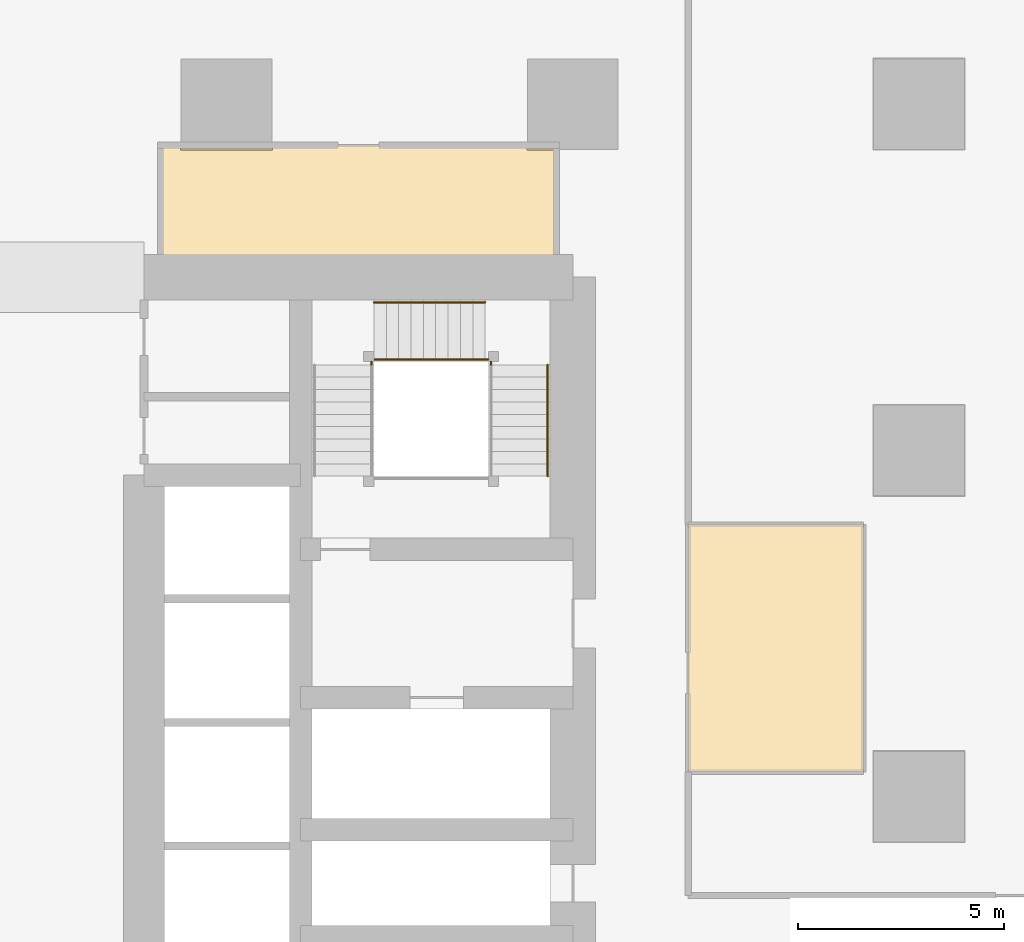
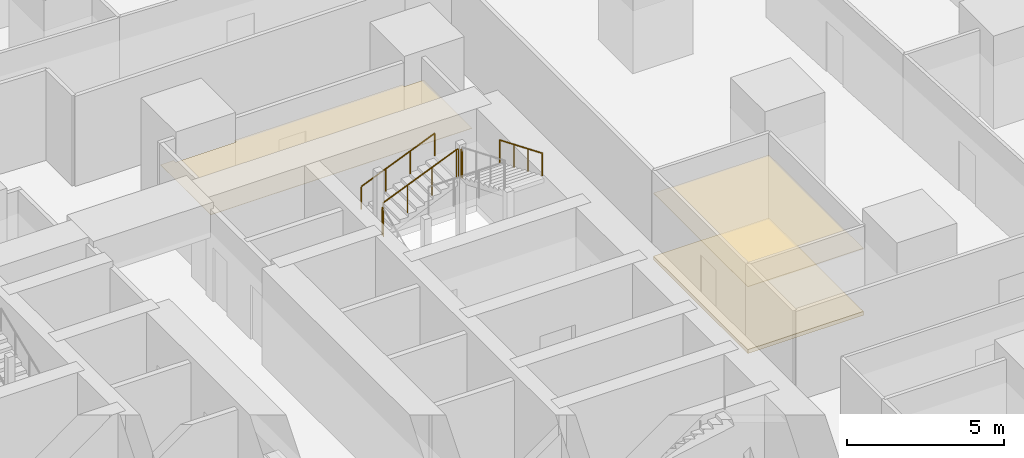
# One storey, part 43 of 44: 6 railings, 3 coverings.
"""IFC4 building model written with IfcOpenShell, lengths in metres."""

from ifc_helpers import new_model, si_unit, direction, frame, origin, origin_2d, place, context, subcontext, project, spatial, polyline, circle, outline, extrude, material, layer, layer_set, type_object, element, save


model = new_model("IFC4")

# Units and contexts
model_context = context("Model", 3, precision=1e-05, world=origin(), true_north=direction((0.0, 1.0)))
body_context = subcontext(model_context, "Body", "Model", "MODEL_VIEW")
ifc_project = project(units=[si_unit("LENGTHUNIT", "METRE"), si_unit("AREAUNIT", "SQUARE_METRE"), si_unit("VOLUMEUNIT", "CUBIC_METRE"), si_unit("PLANEANGLEUNIT", "RADIAN"), si_unit("MASSUNIT", "GRAM", prefix="KILO")], contexts=[model_context])

# Site, building, storey
site_placement = place(None, origin())
site = spatial("IfcSite", under=ifc_project, at=site_placement, CompositionType="ELEMENT")
building_placement = place(site_placement, origin())
building = spatial("IfcBuilding", under=site, at=building_placement, Name="Rekha Terrace Tower", CompositionType="ELEMENT")
storey_placement = place(building_placement, frame((0.0, 0.0, 74.14990234375)))
storey = spatial("IfcBuildingStorey", under=building, at=storey_placement, Name="L18", CompositionType="ELEMENT", Elevation=74.14990234375)

# Coverings
ifc_material_1 = material(Name="Mineral fibre tile in exposed grid", Category="finish")
ifc_layer_1 = layer(ifc_material_1, 0.02001953125)
ifc_layer_set_1 = layer_set([ifc_layer_1], Name="Mineral fibre tile in exposed grid")
covering_type_1 = type_object("IfcCoveringType", Name="CL1 600x1200 office grid ceiling", PredefinedType="CEILING", material=ifc_layer_set_1)
covering_1_placement = place(storey_placement, frame((0.0, 0.0, 2.580078125)))
element("IfcCovering", 1, at=covering_1_placement, inside=storey, type_object=covering_type_1, Name="Ceiling L18-11", PredefinedType="CEILING", context=body_context, shape_type="SweptSolid", body=[
    extrude(outline(polyline([(53.199951171875, 34.199951171875), (57.449951171875, 34.199951171875), (57.449951171875, 40.199951171875), (53.199951171875, 40.199951171875), (53.199951171875, 34.199951171875)])), origin(), (0.0, 0.0, 1.0), 0.02001953125),
])
ifc_material_2 = material(Name="Fibre cement board", Category="finish")
ifc_layer_2 = layer(ifc_material_2, 0.014892578125)
ifc_layer_set_2 = layer_set([ifc_layer_2], Name="Fibre cement board")
covering_type_2 = type_object("IfcCoveringType", Name="CL2 moisture-resistant board ceiling", PredefinedType="CEILING", material=ifc_layer_set_2)
covering_2_placement = place(storey_placement, frame((0.0, 0.0, 2.585205078125)))
element("IfcCovering", 2, at=covering_2_placement, inside=storey, type_object=covering_type_2, Name="Ceiling L18-WCF", PredefinedType="CEILING", context=body_context, shape_type="SweptSolid", body=[
    extrude(outline(polyline([(40.885009765625, 49.39990234375), (40.39990234375, 49.39990234375), (40.39990234375, 46.199951171875), (50.0, 46.199951171875), (50.0, 49.284912109375), (49.284912109375, 49.284912109375), (49.284912109375, 49.39990234375), (43.114990234375, 49.39990234375), (43.114990234375, 49.284912109375), (40.885009765625, 49.284912109375), (40.885009765625, 49.39990234375)])), origin(), (0.0, 0.0, 1.0), 0.014892578125),
])

# Railings
ifc_material_3 = material(Name="Stainless steel balustrade", Category="steel")
railing_type_1 = type_object("IfcRailingType", Name="GR1 1100 stair guard", PredefinedType="GUARDRAIL", material=ifc_material_3)
railing_1_placement = place(storey_placement, frame((45.574951171875, 44.2099609375, 1.375)))
element("IfcRailing", 3, at=railing_1_placement, inside=storey, type_object=railing_type_1, Name="Guard ST2 L18 flight 2", PredefinedType="GUARDRAIL", context=body_context, shape_type="SweptSolid", body=[
    extrude(circle(Radius=0.02392578125, at=origin_2d()), frame((0.0, 0.0, 1.076171875), z_axis=(0.923074453586, 0.0, 0.384621311341), x_axis=(0.0, 1.0, 0.0)), (0.0, 0.0, 1.0), 2.925048828125),
    extrude(circle(Radius=0.02099609375, at=origin_2d()), origin(), (0.0, 0.0, 1.0), 1.052001953125),
    extrude(circle(Radius=0.02099609375, at=origin_2d()), frame((0.89990234375, 0.0, 0.375)), (0.0, 0.0, 1.0), 1.052001953125),
    extrude(circle(Radius=0.02099609375, at=origin_2d()), frame((1.800048828125, 0.0, 0.75)), (0.0, 0.0, 1.0), 1.052001953125),
    extrude(circle(Radius=0.02099609375, at=origin_2d()), frame((2.699951171875, 0.0, 1.125)), (0.0, 0.0, 1.0), 1.052001953125),
])
railing_2_placement = place(storey_placement, frame((45.514892578125, 44.074951171875, 1.25)))
element("IfcRailing", 4, at=railing_2_placement, inside=storey, type_object=railing_type_1, Name="Guard ST2 L18 landing 1", PredefinedType="GUARDRAIL", context=body_context, shape_type="SweptSolid", body=[
    extrude(circle(Radius=0.02392578125, at=origin_2d()), frame((0.0, 0.0, 1.076171875), z_axis=(0.0, 1.0, 0.0), x_axis=(-1.0, 0.0, 0.0)), (0.0, 0.0, 1.0), 0.074951171875),
    extrude(circle(Radius=0.02099609375, at=origin_2d()), origin(), (0.0, 0.0, 1.0), 1.052001953125),
    extrude(circle(Radius=0.02099609375, at=origin_2d()), frame((0.0, 0.074951171875, 0.0)), (0.0, 0.0, 1.0), 1.052001953125),
])
railing_3_placement = place(storey_placement, frame((48.27490234375, 44.2099609375, 2.5)))
element("IfcRailing", 5, at=railing_3_placement, inside=storey, type_object=railing_type_1, Name="Guard ST2 L18 landing 2", PredefinedType="GUARDRAIL", context=body_context, shape_type="SweptSolid", body=[
    extrude(circle(Radius=0.02392578125, at=origin_2d()), frame((0.0, 0.0, 1.076171875), z_axis=(1.0, 0.0, 0.0), x_axis=(0.0, 1.0, 0.0)), (0.0, 0.0, 1.0), 0.0751953125),
    extrude(circle(Radius=0.02099609375, at=origin_2d()), origin(), (0.0, 0.0, 1.0), 1.052001953125),
    extrude(circle(Radius=0.02099609375, at=origin_2d()), frame((0.0751953125, 0.0, 0.0)), (0.0, 0.0, 1.0), 1.052001953125),
])
railing_4_placement = place(storey_placement, frame((48.409912109375, 44.074951171875, 2.5)))
element("IfcRailing", 6, at=railing_4_placement, inside=storey, type_object=railing_type_1, Name="Guard ST2 L18 landing 3", PredefinedType="GUARDRAIL", context=body_context, shape_type="SweptSolid", body=[
    extrude(circle(Radius=0.02392578125, at=origin_2d()), frame((0.0, 0.0, 1.076171875), z_axis=(0.0, 1.0, 0.0), x_axis=(-1.0, 0.0, 0.0)), (0.0, 0.0, 1.0), 0.074951171875),
    extrude(circle(Radius=0.02099609375, at=origin_2d()), origin(), (0.0, 0.0, 1.0), 1.052001953125),
    extrude(circle(Radius=0.02099609375, at=origin_2d()), frame((0.0, 0.074951171875, 0.0)), (0.0, 0.0, 1.0), 1.052001953125),
])
ifc_material_4 = material(Name="Stainless steel tube", Category="steel")
railing_type_2 = type_object("IfcRailingType", Name="HR1 900 stair handrail", PredefinedType="HANDRAIL", material=ifc_material_4)
railing_5_placement = place(storey_placement, frame((45.574951171875, 45.590087890625, 1.375)))
element("IfcRailing", 7, at=railing_5_placement, inside=storey, type_object=railing_type_2, Name="Handrail ST2 L18 flight 2", PredefinedType="HANDRAIL", context=body_context, shape_type="SweptSolid", body=[
    extrude(circle(Radius=0.02392578125, at=origin_2d()), frame((0.0, 0.0, 0.8759765625), z_axis=(0.923074453586, 0.0, 0.384621311341), x_axis=(0.0, 1.0, 0.0)), (0.0, 0.0, 1.0), 2.925048828125),
    extrude(circle(Radius=0.02099609375, at=origin_2d()), origin(), (0.0, 0.0, 1.0), 0.851806640625),
    extrude(circle(Radius=0.02099609375, at=origin_2d()), frame((0.89990234375, 0.0, 0.375)), (0.0, 0.0, 1.0), 0.851806640625),
    extrude(circle(Radius=0.02099609375, at=origin_2d()), frame((1.800048828125, 0.0, 0.75)), (0.0, 0.0, 1.0), 0.851806640625),
    extrude(circle(Radius=0.02099609375, at=origin_2d()), frame((2.699951171875, 0.0, 1.125)), (0.0, 0.0, 1.0), 0.851806640625),
])
railing_6_placement = place(storey_placement, frame((49.7900390625, 44.074951171875, 2.625)))
element("IfcRailing", 8, at=railing_6_placement, inside=storey, type_object=railing_type_2, Name="Handrail ST2 L18 flight 3", PredefinedType="HANDRAIL", context=body_context, shape_type="SweptSolid", body=[
    extrude(circle(Radius=0.02392578125, at=origin_2d()), frame((0.0, 0.0, 0.8759765625), z_axis=(0.0, -0.923074453586, 0.384621311341), x_axis=(1.0, 0.0, 0.0)), (0.0, 0.0, 1.0), 2.925048828125),
    extrude(circle(Radius=0.02099609375, at=origin_2d()), origin(), (0.0, 0.0, 1.0), 0.851806640625),
    extrude(circle(Radius=0.02099609375, at=origin_2d()), frame((0.0, -0.89990234375, 0.375)), (0.0, 0.0, 1.0), 0.851806640625),
    extrude(circle(Radius=0.02099609375, at=origin_2d()), frame((0.0, -1.800048828125, 0.75)), (0.0, 0.0, 1.0), 0.851806640625),
    extrude(circle(Radius=0.02099609375, at=origin_2d()), frame((0.0, -2.699951171875, 1.125)), (0.0, 0.0, 1.0), 0.851806640625),
])

# Covering
ifc_material_5 = material(Name="Calcium sulphate panels on steel pedestals", Category="steel")
ifc_layer_3 = layer(ifc_material_5, 0.14990234375)
ifc_layer_set_3 = layer_set([ifc_layer_3], Name="Calcium sulphate panels on steel pedestals")
covering_type_3 = type_object("IfcCoveringType", Name="RF1 150 raised access floor", PredefinedType="FLOORING", material=ifc_layer_set_3)
covering_3_placement = place(storey_placement, origin())
element("IfcCovering", 9, at=covering_3_placement, inside=storey, type_object=covering_type_3, Name="Raised floor L18-11", PredefinedType="FLOORING", context=body_context, shape_type="SweptSolid", body=[
    extrude(outline(polyline([(53.199951171875, 34.199951171875), (57.449951171875, 34.199951171875), (57.449951171875, 40.199951171875), (53.199951171875, 40.199951171875), (53.199951171875, 34.199951171875)])), origin(), (0.0, 0.0, 1.0), 0.150146484375),
])

save(model, "model.ifc")
